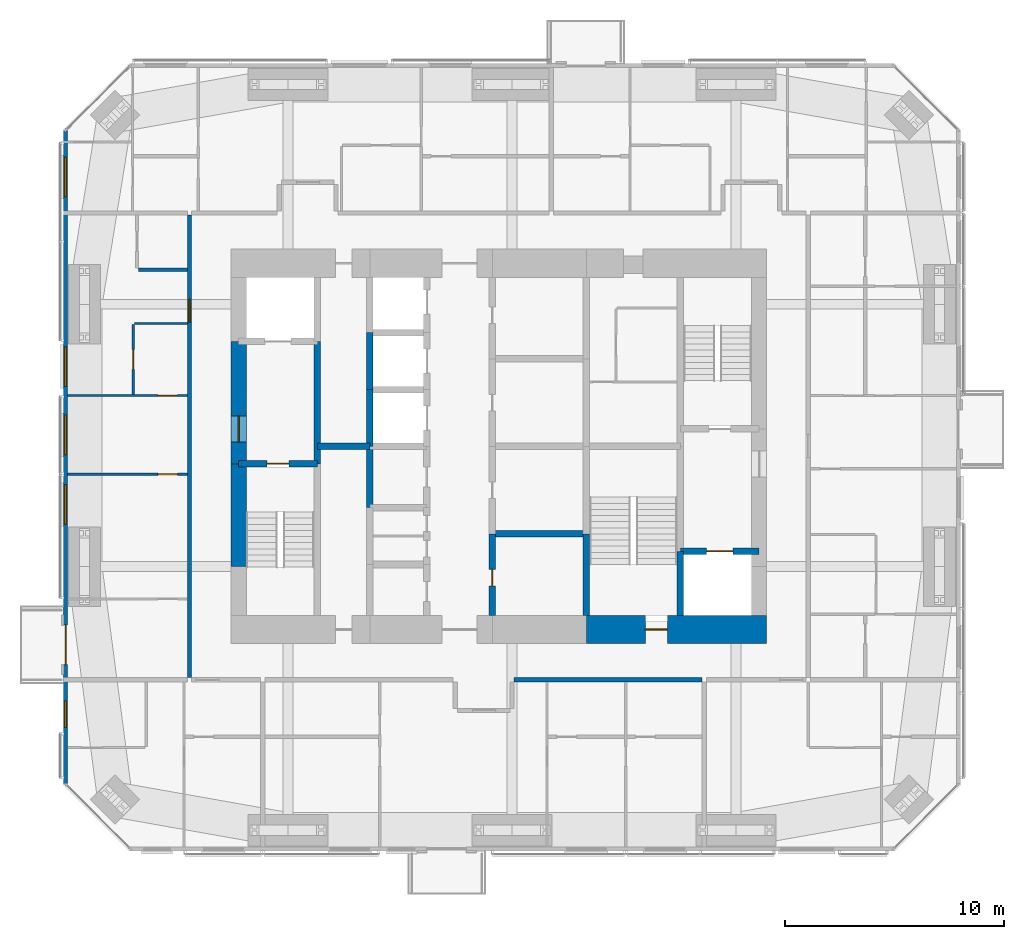
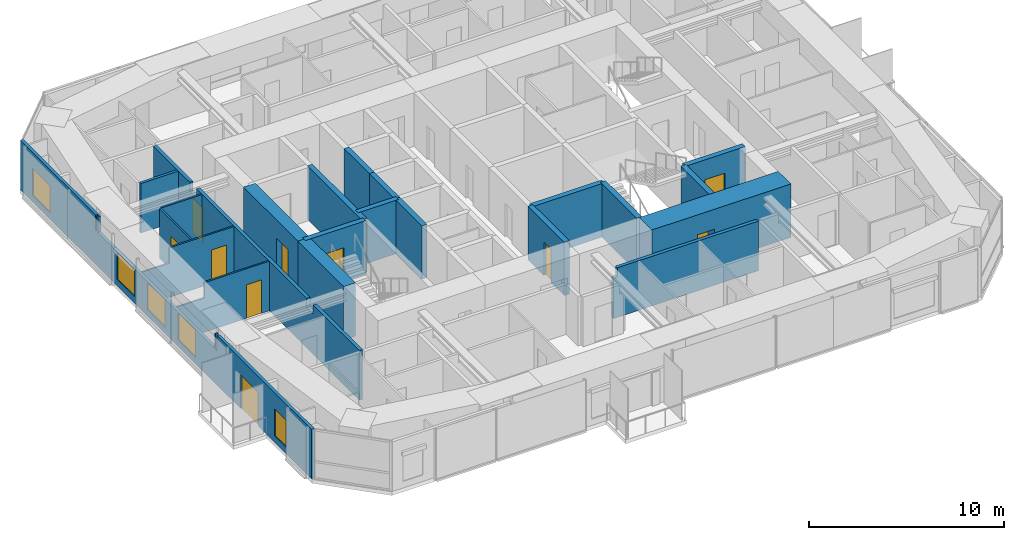
# One storey, part 17 of 23: 22 walls, 10 doors, 5 windows, 15 openings.
"""IFC4 building model written with IfcOpenShell, lengths in metres."""

from ifc_helpers import new_model, si_unit, direction, frame, frame_2d, origin, place, context, subcontext, project, spatial, polyline, rectangle, outline, extrude, material, layer, layer_set, constituent, constituent_set, type_object, element, fill, save


model = new_model("IFC4")

# Units and contexts
model_context = context("Model", 3, precision=1e-05, world=origin(), true_north=direction((0.0, 1.0)))
body_context = subcontext(model_context, "Body", "Model", "MODEL_VIEW")
ifc_project = project(units=[si_unit("LENGTHUNIT", "METRE"), si_unit("AREAUNIT", "SQUARE_METRE"), si_unit("VOLUMEUNIT", "CUBIC_METRE"), si_unit("PLANEANGLEUNIT", "RADIAN"), si_unit("MASSUNIT", "GRAM", prefix="KILO")], contexts=[model_context])

# Site, building, storey
site_placement = place(None, origin())
site = spatial("IfcSite", under=ifc_project, at=site_placement, CompositionType="ELEMENT")
building_placement = place(site_placement, origin())
building = spatial("IfcBuilding", under=site, at=building_placement, Name="Jalousie Tower", CompositionType="ELEMENT")
storey_placement = place(building_placement, frame((0.0, 0.0, 197.89990234375)))
storey = spatial("IfcBuildingStorey", under=building, at=storey_placement, Name="L54", CompositionType="ELEMENT", Elevation=197.89990234375)

# Wall
ifc_material_1 = material(Name="Concrete block ASTM C90", Category="concrete")
ifc_constituent_1 = constituent(ifc_material_1, Name="Body")
ifc_material_2 = material(Name="Render")
ifc_constituent_2 = constituent(ifc_material_2, Name="Finish")
ifc_constituent_set_1 = constituent_set(constituents=[ifc_constituent_1, ifc_constituent_2])
wall_type_1 = type_object("IfcWallType", Name="BATHROOM WALL 150", PredefinedType="PLUMBINGWALL", material=ifc_constituent_set_1)
wall_1_placement = place(storey_placement, frame((15.425048828125, 26.574951171875, 0.0), z_axis=(0.0, 0.0, 1.0), x_axis=(1.0, 0.0, 0.0)))
element("IfcWall", 1, at=wall_1_placement, inside=storey, type_object=wall_type_1, Name="Bathroom Wall 150 L54", PredefinedType="PLUMBINGWALL", context=body_context, shape_type="SweptSolid", body=[
    extrude(rectangle(XDim=2.224853515625, YDim=0.14990234375, at=frame_2d((1.1123046875, 0.0))), origin(), (0.0, 0.0, 1.0), 3.110107421875),
])

# Wall, opening, door
ifc_material_3 = material(Name="Concrete f'c 120 MPa", Category="concrete")
ifc_layer_1 = layer(ifc_material_3, 1.300048828125)
ifc_layer_set_1 = layer_set([ifc_layer_1], Name="Concrete f'c 120 MPa")
wall_type_2 = type_object("IfcWallType", Name="CORE WALL 1300", PredefinedType="SHEAR", material=ifc_layer_set_1)
wall_2_placement = place(storey_placement, frame((35.89990234375, 10.125, 0.0), z_axis=(0.0, 0.0, 1.0), x_axis=(1.0, 0.0, 0.0)))
wall_2 = element("IfcWall", 2, at=wall_2_placement, inside=storey, type_object=wall_type_2, Name="Core wall SD L54", PredefinedType="SHEAR", context=body_context, shape_type="SweptSolid", body=[
    extrude(rectangle(XDim=8.25, YDim=1.300048828125, at=frame_2d((4.125, 0.0))), origin(), (0.0, 0.0, 1.0), 3.35009765625),
])
opening_1_placement = place(wall_2_placement, frame((2.699951171875, 0.0, 0.0)))
opening_1 = element("IfcOpeningElement", 3, at=opening_1_placement, cuts=wall_2, Name="Opening D10", PredefinedType="OPENING", context=body_context, shape_type="SweptSolid", body=[
    extrude(rectangle(XDim=1.0, YDim=2.10009765625, at=frame_2d((0.5, 1.050048828125))), frame((0.0, 0.659912109375, 0.0), z_axis=(0.0, -1.0, 0.0), x_axis=(1.0, 0.0, 0.0)), (0.0, 0.0, 1.0), 1.320068359375),
])
ifc_material_4 = material(Name="Steel fire door", Category="steel")
door_type_1 = type_object("IfcDoorType", Name="STAIR DOOR 1000", OperationType="SINGLE_SWING_LEFT", PredefinedType="DOOR", material=ifc_material_4)
door_1_placement = place(opening_1_placement, origin())
door_1 = element("IfcDoor", 4, at=door_1_placement, inside=storey, type_object=door_type_1, Name="Exit stair C door", OperationType="SINGLE_SWING_RIGHT", OverallHeight=2.10009765625, OverallWidth=1.0, PredefinedType="DOOR", context=body_context, shape_type="SweptSolid", body=[
    extrude(rectangle(XDim=1.0, YDim=2.10009765625, at=frame_2d((0.5, 1.050048828125))), frame((0.0, 0.02490234375, 0.0), z_axis=(0.0, -1.0, 0.0), x_axis=(1.0, 0.0, 0.0)), (0.0, 0.0, 1.0), 0.050048828125),
])
fill(opening_1, door_1)

# Walls
ifc_material_5 = material(Name="Concrete f'c 120 MPa", Category="concrete")
ifc_layer_2 = layer(ifc_material_5, 0.300048828125)
ifc_layer_set_2 = layer_set([ifc_layer_2], Name="Concrete f'c 120 MPa")
wall_type_3 = type_object("IfcWallType", Name="CORE WALL 300", PredefinedType="SHEAR", material=ifc_layer_set_2)
wall_3_placement = place(storey_placement, frame((23.60009765625, 17.699951171875, 0.0), z_axis=(0.0, 0.0, 1.0), x_axis=(0.0, 1.0, 0.0)))
element("IfcWall", 5, at=wall_3_placement, inside=storey, type_object=wall_type_3, Name="Core wall X23.6B L54", PredefinedType="SHEAR", context=body_context, shape_type="SweptSolid", body=[
    extrude(rectangle(XDim=5.60009765625, YDim=0.300048828125, at=frame_2d((2.800048828125, 0.0))), origin(), (0.0, 0.0, 1.0), 3.35009765625),
])
wall_4_placement = place(storey_placement, frame((26.0, 15.699951171875, 0.0), z_axis=(0.0, 0.0, 1.0), x_axis=(0.0, 1.0, 0.0)))
element("IfcWall", 6, at=wall_4_placement, inside=storey, type_object=wall_type_3, Name="Core wall X26C L54", PredefinedType="SHEAR", context=body_context, shape_type="SweptSolid", body=[
    extrude(rectangle(XDim=2.800048828125, YDim=0.300048828125, at=frame_2d((1.39990234375, 0.0))), origin(), (0.0, 0.0, 1.0), 3.35009765625),
])
wall_5_placement = place(storey_placement, frame((26.0, 18.5, 0.0), z_axis=(0.0, 0.0, 1.0), x_axis=(0.0, 1.0, 0.0)))
element("IfcWall", 7, at=wall_5_placement, inside=storey, type_object=wall_type_3, Name="Core wall X26D L54", PredefinedType="SHEAR", context=body_context, shape_type="SweptSolid", body=[
    extrude(rectangle(XDim=2.60009765625, YDim=0.300048828125, at=frame_2d((1.300048828125, 0.0))), origin(), (0.0, 0.0, 1.0), 3.35009765625),
])
wall_6_placement = place(storey_placement, frame((26.0, 21.10009765625, 0.0), z_axis=(0.0, 0.0, 1.0), x_axis=(0.0, 1.0, 0.0)))
element("IfcWall", 8, at=wall_6_placement, inside=storey, type_object=wall_type_3, Name="Core wall X26E L54", PredefinedType="SHEAR", context=body_context, shape_type="SweptSolid", body=[
    extrude(rectangle(XDim=2.599853515625, YDim=0.300048828125, at=frame_2d((1.2998046875, 0.0))), origin(), (0.0, 0.0, 1.0), 3.35009765625),
])

# Wall, opening, door
wall_7_placement = place(storey_placement, frame((31.60009765625, 10.77490234375, 0.0), z_axis=(0.0, 0.0, 1.0), x_axis=(0.0, 1.0, 0.0)))
wall_7 = element("IfcWall", 9, at=wall_7_placement, inside=storey, type_object=wall_type_3, Name="Core wall X31.6A L54", PredefinedType="SHEAR", context=body_context, shape_type="SweptSolid", body=[
    extrude(rectangle(XDim=3.72509765625, YDim=0.300048828125, at=frame_2d((1.862548828125, 0.0))), origin(), (0.0, 0.0, 1.0), 3.35009765625),
])
opening_2_placement = place(wall_7_placement, frame((1.35009765625, 0.0, 0.0)))
opening_2 = element("IfcOpeningElement", 10, at=opening_2_placement, cuts=wall_7, Name="Opening D16", PredefinedType="OPENING", context=body_context, shape_type="SweptSolid", body=[
    extrude(rectangle(XDim=0.75, YDim=2.10009765625, at=frame_2d((0.375, 1.050048828125))), frame((0.0, 0.159912109375, 0.0), z_axis=(0.0, -1.0, 0.0), x_axis=(1.0, 0.0, 0.0)), (0.0, 0.0, 1.0), 0.320068359375),
])
ifc_material_6 = material(Name="Steel fire door", Category="steel")
door_type_2 = type_object("IfcDoorType", Name="RISER DOOR 750", OperationType="SINGLE_SWING_LEFT", PredefinedType="DOOR", material=ifc_material_6)
door_2_placement = place(opening_2_placement, frame((0.75, 0.0, 0.0), z_axis=(0.0, 0.0, 1.0), x_axis=(-1.0, 0.0, 0.0)))
door_2 = element("IfcDoor", 11, at=door_2_placement, inside=storey, type_object=door_type_2, Name="Refuse Room door", OperationType="SINGLE_SWING_RIGHT", OverallHeight=2.10009765625, OverallWidth=0.75, PredefinedType="DOOR", context=body_context, shape_type="SweptSolid", body=[
    extrude(rectangle(XDim=0.75, YDim=2.10009765625, at=frame_2d((0.375, 1.050048828125))), frame((0.0, 0.02490234375, 0.0), z_axis=(0.0, -1.0, 0.0), x_axis=(1.0, 0.0, 0.0)), (0.0, 0.0, 1.0), 0.050048828125),
])
fill(opening_2, door_2)

# Walls
wall_8_placement = place(storey_placement, frame((35.89990234375, 10.77490234375, 0.0), z_axis=(0.0, 0.0, 1.0), x_axis=(0.0, 1.0, 0.0)))
element("IfcWall", 12, at=wall_8_placement, inside=storey, type_object=wall_type_3, Name="Core wall X35.9A L54", PredefinedType="SHEAR", context=body_context, shape_type="SweptSolid", body=[
    extrude(rectangle(XDim=3.72509765625, YDim=0.300048828125, at=frame_2d((1.862548828125, 0.0))), origin(), (0.0, 0.0, 1.0), 3.35009765625),
])
wall_9_placement = place(storey_placement, frame((40.199951171875, 10.77490234375, 0.0), z_axis=(0.0, 0.0, 1.0), x_axis=(0.0, 1.0, 0.0)))
element("IfcWall", 13, at=wall_9_placement, inside=storey, type_object=wall_type_3, Name="Core wall X40.2A L54", PredefinedType="SHEAR", context=body_context, shape_type="SweptSolid", body=[
    extrude(rectangle(XDim=2.925048828125, YDim=0.300048828125, at=frame_2d((1.46240234375, 0.0))), origin(), (0.0, 0.0, 1.0), 3.35009765625),
])

# Wall, opening, door
wall_10_placement = place(storey_placement, frame((20.0, 17.699951171875, 0.0), z_axis=(0.0, 0.0, 1.0), x_axis=(1.0, 0.0, 0.0)))
wall_10 = element("IfcWall", 14, at=wall_10_placement, inside=storey, type_object=wall_type_3, Name="Core wall Y20-17.7 L54", PredefinedType="SHEAR", context=body_context, shape_type="SweptSolid", body=[
    extrude(rectangle(XDim=3.60009765625, YDim=0.300048828125, at=frame_2d((1.800048828125, 0.0))), origin(), (0.0, 0.0, 1.0), 3.35009765625),
])
opening_3_placement = place(wall_10_placement, frame((1.300048828125, 0.0, 0.0)))
opening_3 = element("IfcOpeningElement", 15, at=opening_3_placement, cuts=wall_10, Name="Opening D10", PredefinedType="OPENING", context=body_context, shape_type="SweptSolid", body=[
    extrude(rectangle(XDim=1.0, YDim=2.10009765625, at=frame_2d((0.5, 1.050048828125))), frame((0.0, 0.159912109375, 0.0), z_axis=(0.0, -1.0, 0.0), x_axis=(1.0, 0.0, 0.0)), (0.0, 0.0, 1.0), 0.320068359375),
])
door_3_placement = place(opening_3_placement, frame((1.0, 0.0, 0.0), z_axis=(0.0, 0.0, 1.0), x_axis=(-1.0, 0.0, 0.0)))
door_3 = element("IfcDoor", 16, at=door_3_placement, inside=storey, type_object=door_type_1, Name="Exit stair A door", OperationType="SINGLE_SWING_RIGHT", OverallHeight=2.10009765625, OverallWidth=1.0, PredefinedType="DOOR", context=body_context, shape_type="SweptSolid", body=[
    extrude(rectangle(XDim=1.0, YDim=2.10009765625, at=frame_2d((0.5, 1.050048828125))), frame((0.0, 0.02490234375, 0.0), z_axis=(0.0, -1.0, 0.0), x_axis=(1.0, 0.0, 0.0)), (0.0, 0.0, 1.0), 0.050048828125),
])
fill(opening_3, door_3)

# Walls
wall_11_placement = place(storey_placement, frame((23.60009765625, 18.5, 0.0), z_axis=(0.0, 0.0, 1.0), x_axis=(1.0, 0.0, 0.0)))
element("IfcWall", 17, at=wall_11_placement, inside=storey, type_object=wall_type_3, Name="Core wall Y23.6-18.5 L54", PredefinedType="SHEAR", context=body_context, shape_type="SweptSolid", body=[
    extrude(rectangle(XDim=2.39990234375, YDim=0.300048828125, at=frame_2d((1.199951171875, 0.0))), origin(), (0.0, 0.0, 1.0), 3.35009765625),
])
wall_12_placement = place(storey_placement, frame((31.60009765625, 14.5, 0.0), z_axis=(0.0, 0.0, 1.0), x_axis=(1.0, 0.0, 0.0)))
element("IfcWall", 18, at=wall_12_placement, inside=storey, type_object=wall_type_3, Name="Core wall Y31.6-14.5 L54", PredefinedType="SHEAR", context=body_context, shape_type="SweptSolid", body=[
    extrude(rectangle(XDim=4.2998046875, YDim=0.300048828125, at=frame_2d((2.14990234375, 0.0))), origin(), (0.0, 0.0, 1.0), 3.35009765625),
])

# Wall, opening, door
wall_13_placement = place(storey_placement, frame((40.199951171875, 13.699951171875, 0.0), z_axis=(0.0, 0.0, 1.0), x_axis=(1.0, 0.0, 0.0)))
wall_13 = element("IfcWall", 19, at=wall_13_placement, inside=storey, type_object=wall_type_3, Name="Core wall Y40.2-13.7 L54", PredefinedType="SHEAR", context=body_context, shape_type="SweptSolid", body=[
    extrude(rectangle(XDim=3.60009765625, YDim=0.300048828125, at=frame_2d((1.800048828125, 0.0))), origin(), (0.0, 0.0, 1.0), 3.35009765625),
])
opening_4_placement = place(wall_13_placement, frame((1.199951171875, 0.0, 0.0)))
opening_4 = element("IfcOpeningElement", 20, at=opening_4_placement, cuts=wall_13, Name="Opening LD2", PredefinedType="OPENING", context=body_context, shape_type="SweptSolid", body=[
    extrude(rectangle(XDim=1.199951171875, YDim=2.10009765625, at=frame_2d((0.60009765625, 1.050048828125))), frame((0.0, 0.159912109375, 0.0), z_axis=(0.0, -1.0, 0.0), x_axis=(1.0, 0.0, 0.0)), (0.0, 0.0, 1.0), 0.320068359375),
])
ifc_material_7 = material(Name="Steel lift landing door", Category="steel")
door_type_3 = type_object("IfcDoorType", Name="LIFT LANDING DOOR 1200", OperationType="SLIDING_TO_LEFT", PredefinedType="DOOR", material=ifc_material_7)
door_4_placement = place(opening_4_placement, origin())
door_4 = element("IfcDoor", 21, at=door_4_placement, inside=storey, type_object=door_type_3, Name="Lift F2 landing door", OperationType="SLIDING_TO_LEFT", OverallHeight=2.10009765625, OverallWidth=1.199951171875, PredefinedType="DOOR", context=body_context, shape_type="SweptSolid", body=[
    extrude(rectangle(XDim=1.199951171875, YDim=2.10009765625, at=frame_2d((0.60009765625, 1.050048828125))), frame((0.0, 0.02490234375, 0.0), z_axis=(0.0, -1.0, 0.0), x_axis=(1.0, 0.0, 0.0)), (0.0, 0.0, 1.0), 0.050048828125),
])
fill(opening_4, door_4)

ifc_material_8 = material(Name="Concrete f'c 120 MPa", Category="concrete")
ifc_layer_3 = layer(ifc_material_8, 0.699951171875)
ifc_layer_set_3 = layer_set([ifc_layer_3], Name="Concrete f'c 120 MPa")
wall_type_4 = type_object("IfcWallType", Name="CORE WALL 700", PredefinedType="SHEAR", material=ifc_layer_set_3)
wall_14_placement = place(storey_placement, frame((20.0, 23.300048828125, 0.0), z_axis=(0.0, 0.0, 1.0), x_axis=(0.0, -1.0, 0.0)))
wall_14 = element("IfcWall", 22, at=wall_14_placement, inside=storey, type_object=wall_type_4, Name="Core wall WB L54", PredefinedType="SHEAR", context=body_context, shape_type="SweptSolid", body=[
    extrude(rectangle(XDim=5.60009765625, YDim=0.699951171875, at=frame_2d((2.800048828125, 0.0))), origin(), (0.0, 0.0, 1.0), 3.35009765625),
])
opening_5_placement = place(wall_14_placement, frame((3.39990234375, 0.0, 0.0)))
opening_5 = element("IfcOpeningElement", 23, at=opening_5_placement, cuts=wall_14, Name="Opening D11", PredefinedType="OPENING", context=body_context, shape_type="SweptSolid", body=[
    extrude(rectangle(XDim=1.199951171875, YDim=2.199951171875, at=frame_2d((0.60009765625, 1.10009765625))), frame((0.0, 0.35986328125, 0.0), z_axis=(0.0, -1.0, 0.0), x_axis=(1.0, 0.0, 0.0)), (0.0, 0.0, 1.0), 0.719970703125),
])
ifc_material_9 = material(Name="Steel fire door", Category="steel")
door_type_4 = type_object("IfcDoorType", Name="FIRE DOOR 1200", OperationType="SINGLE_SWING_LEFT", PredefinedType="DOOR", material=ifc_material_9)
door_5_placement = place(opening_5_placement, origin())
door_5 = element("IfcDoor", 24, at=door_5_placement, inside=storey, type_object=door_type_4, Name="Fire-fighting lobby A door", OperationType="SINGLE_SWING_RIGHT", OverallHeight=2.199951171875, OverallWidth=1.199951171875, PredefinedType="DOOR", context=body_context, shape_type="SweptSolid", body=[
    extrude(rectangle(XDim=1.199951171875, YDim=2.199951171875, at=frame_2d((0.60009765625, 1.10009765625))), frame((0.0, 0.02490234375, 0.0), z_axis=(0.0, -1.0, 0.0), x_axis=(1.0, 0.0, 0.0)), (0.0, 0.0, 1.0), 0.050048828125),
])
fill(opening_5, door_5)

# Wall
wall_15_placement = place(storey_placement, frame((20.0, 17.699951171875, 0.0), z_axis=(0.0, 0.0, 1.0), x_axis=(0.0, -1.0, 0.0)))
element("IfcWall", 25, at=wall_15_placement, inside=storey, type_object=wall_type_4, Name="Core wall WC L54", PredefinedType="SHEAR", context=body_context, shape_type="SweptSolid", body=[
    extrude(rectangle(XDim=4.699951171875, YDim=0.699951171875, at=frame_2d((2.35009765625, 0.0))), origin(), (0.0, 0.0, 1.0), 3.35009765625),
])

# Wall, opening, door
ifc_material_10 = material(Name="Concrete block ASTM C90", Category="concrete")
ifc_constituent_3 = constituent(ifc_material_10, Name="Body")
ifc_material_11 = material(Name="Render")
ifc_constituent_4 = constituent(ifc_material_11, Name="Finish")
ifc_constituent_set_2 = constituent_set(constituents=[ifc_constituent_3, ifc_constituent_4])
wall_type_5 = type_object("IfcWallType", Name="CORRIDOR WALL 200", PredefinedType="PARTITIONING", material=ifc_constituent_set_2)
wall_16_placement = place(storey_placement, frame((17.75, 7.925048828125, 0.0), z_axis=(0.0, 0.0, 1.0), x_axis=(0.0, 1.0, 0.0)))
wall_16 = element("IfcWall", 26, at=wall_16_placement, inside=storey, type_object=wall_type_5, Name="Corridor Wall 200 L54", PredefinedType="PARTITIONING", context=body_context, shape_type="SweptSolid", body=[
    extrude(outline(polyline([(0.0, 0.0), (21.14990234375, 0.0), (21.14990234375, 3.110107421875), (17.412353515625, 3.110107421875), (17.412353515625, 2.541015625), (16.737548828125, 2.541015625), (16.737548828125, 3.110107421875), (5.412353515625, 3.110107421875), (5.412353515625, 2.541015625), (4.73779296875, 2.541015625), (4.73779296875, 3.110107421875), (0.0, 3.110107421875), (0.0, 0.0)])), frame((0.0, 0.10009765625, 0.0), z_axis=(0.0, -1.0, 0.0), x_axis=(1.0, 0.0, 0.0)), (0.0, 0.0, 1.0), 0.199951171875),
])
opening_6_placement = place(wall_16_placement, frame((16.25, 0.0, 0.0)))
opening_6 = element("IfcOpeningElement", 27, at=opening_6_placement, cuts=wall_16, Name="Opening D1", PredefinedType="OPENING", context=body_context, shape_type="SweptSolid", body=[
    extrude(rectangle(XDim=1.050048828125, YDim=2.199951171875, at=frame_2d((0.52490234375, 1.10009765625))), frame((0.0, 0.10986328125, 0.0), z_axis=(0.0, -1.0, 0.0), x_axis=(1.0, 0.0, 0.0)), (0.0, 0.0, 1.0), 0.219970703125),
])
ifc_material_12 = material(Name="Timber fire door", Category="wood")
door_type_5 = type_object("IfcDoorType", Name="APARTMENT ENTRANCE DOOR 1050", OperationType="SINGLE_SWING_LEFT", PredefinedType="DOOR", material=ifc_material_12)
door_6_placement = place(opening_6_placement, origin())
door_6 = element("IfcDoor", 28, at=door_6_placement, inside=storey, type_object=door_type_5, Name="Apartment 5406 entrance", OperationType="SINGLE_SWING_LEFT", OverallHeight=2.199951171875, OverallWidth=1.050048828125, PredefinedType="DOOR", context=body_context, shape_type="SweptSolid", body=[
    extrude(rectangle(XDim=1.050048828125, YDim=2.199951171875, at=frame_2d((0.52490234375, 1.10009765625))), frame((0.0, 0.02490234375, 0.0), z_axis=(0.0, -1.0, 0.0), x_axis=(1.0, 0.0, 0.0)), (0.0, 0.0, 1.0), 0.050048828125),
])
fill(opening_6, door_6)

# Wall
wall_17_placement = place(storey_placement, frame((32.60009765625, 7.824951171875, 0.0), z_axis=(0.0, 0.0, 1.0), x_axis=(1.0, 0.0, 0.0)))
element("IfcWall", 29, at=wall_17_placement, inside=storey, type_object=wall_type_5, Name="Corridor Wall 200 L54", PredefinedType="PARTITIONING", context=body_context, shape_type="SweptSolid", body=[
    extrude(outline(polyline([(0.0, 0.0), (8.599853515625, 0.0), (8.60009765625, 3.110107421875), (0.2373046875, 3.110107421875), (0.2373046875, 2.541015625), (0.0, 2.541015625), (0.0, 3.110107421875), (0.0, 0.0)])), frame((0.0, 0.10009765625, 0.0), z_axis=(0.0, -1.0, 0.0), x_axis=(1.0, 0.0, 0.0)), (0.0, 0.0, 1.0), 0.199951171875),
])

# Wall, openings, door, windows
ifc_material_13 = material(Name="Concrete f'c 40 MPa", Category="concrete")
ifc_constituent_5 = constituent(ifc_material_13, Name="Body")
ifc_material_14 = material(Name="Render, pastel lemon")
ifc_constituent_6 = constituent(ifc_material_14, Name="Finish")
ifc_constituent_set_3 = constituent_set(constituents=[ifc_constituent_5, ifc_constituent_6])
wall_type_6 = type_object("IfcWallType", Name="EXTERNAL WALL 175 LEMON RENDER", PredefinedType="SOLIDWALL", material=ifc_constituent_set_3)
wall_18_placement = place(storey_placement, frame((12.08740234375, 32.94873046875, 0.0), z_axis=(0.0, 0.0, 1.0), x_axis=(0.0, -1.0, 0.0)))
wall_18 = element("IfcWall", 30, at=wall_18_placement, inside=storey, type_object=wall_type_6, Name="External Wall 175 Lemon Render L54", PredefinedType="SOLIDWALL", context=body_context, shape_type="SweptSolid", body=[
    extrude(outline(polyline([(0.0, 0.0), (29.8974609375, 0.0), (29.8974609375, 3.110107421875), (20.19140625, 3.110107421875), (20.19140625, 2.150146484375), (20.050537109375, 2.150146484375), (20.050537109375, 3.110107421875), (19.94873046875, 3.110107421875), (19.94873046875, 2.150146484375), (7.94873046875, 2.150146484375), (7.94873046875, 3.110107421875), (7.823486328125, 3.110107421875), (7.823486328125, 2.150146484375), (7.729736328125, 2.150146484375), (7.729736328125, 3.110107421875), (0.0, 3.110107421875), (0.0, 0.0)])), frame((0.0, 0.08740234375, 0.0), z_axis=(0.0, -1.0, 0.0), x_axis=(1.0, 0.0, 0.0)), (0.0, 0.0, 1.0), 0.175048828125),
])
opening_7_placement = place(wall_18_placement, frame((1.226318359375, 0.0, 0.39990234375)))
opening_7 = element("IfcOpeningElement", 31, at=opening_7_placement, cuts=wall_18, Name="Opening W-BED170", PredefinedType="OPENING", context=body_context, shape_type="SweptSolid", body=[
    extrude(rectangle(XDim=1.800048828125, YDim=1.699951171875, at=frame_2d((0.89990234375, 0.85009765625))), frame((0.0, 0.097412109375, 0.0), z_axis=(0.0, -1.0, 0.0), x_axis=(1.0, 0.0, 0.0)), (0.0, 0.0, 1.0), 0.195068359375),
])
opening_8_placement = place(wall_18_placement, frame((9.898681640625, 0.0, 0.39990234375)))
opening_8 = element("IfcOpeningElement", 32, at=opening_8_placement, cuts=wall_18, Name="Opening W-BED170", PredefinedType="OPENING", context=body_context, shape_type="SweptSolid", body=[
    extrude(rectangle(XDim=1.800048828125, YDim=1.699951171875, at=frame_2d((0.89990234375, 0.85009765625))), frame((0.0, 0.097412109375, 0.0), z_axis=(0.0, -1.0, 0.0), x_axis=(1.0, 0.0, 0.0)), (0.0, 0.0, 1.0), 0.195068359375),
])
opening_9_placement = place(wall_18_placement, frame((13.023681640625, 0.0, 0.39990234375)))
opening_9 = element("IfcOpeningElement", 33, at=opening_9_placement, cuts=wall_18, Name="Opening W-BED170", PredefinedType="OPENING", context=body_context, shape_type="SweptSolid", body=[
    extrude(rectangle(XDim=1.800048828125, YDim=1.699951171875, at=frame_2d((0.89990234375, 0.85009765625))), frame((0.0, 0.097412109375, 0.0), z_axis=(0.0, -1.0, 0.0), x_axis=(1.0, 0.0, 0.0)), (0.0, 0.0, 1.0), 0.195068359375),
])
opening_10_placement = place(wall_18_placement, frame((16.201171875, 0.0, 0.39990234375)))
opening_10 = element("IfcOpeningElement", 34, at=opening_10_placement, cuts=wall_18, Name="Opening W-BED170", PredefinedType="OPENING", context=body_context, shape_type="SweptSolid", body=[
    extrude(rectangle(XDim=1.800048828125, YDim=1.699951171875, at=frame_2d((0.89990234375, 0.85009765625))), frame((0.0, 0.097412109375, 0.0), z_axis=(0.0, -1.0, 0.0), x_axis=(1.0, 0.0, 0.0)), (0.0, 0.0, 1.0), 0.195068359375),
])
opening_11_placement = place(wall_18_placement, frame((22.623779296875, 0.0, 0.0)))
opening_11 = element("IfcOpeningElement", 35, at=opening_11_placement, cuts=wall_18, Name="Opening D-BAL21", PredefinedType="OPENING", context=body_context, shape_type="SweptSolid", body=[
    extrude(rectangle(XDim=1.800048828125, YDim=2.10009765625, at=frame_2d((0.89990234375, 1.050048828125))), frame((0.0, 0.097412109375, 0.0), z_axis=(0.0, -1.0, 0.0), x_axis=(1.0, 0.0, 0.0)), (0.0, 0.0, 1.0), 0.195068359375),
])
opening_12_placement = place(wall_18_placement, frame((26.0986328125, 0.0, 0.39990234375)))
opening_12 = element("IfcOpeningElement", 36, at=opening_12_placement, cuts=wall_18, Name="Opening W-COR170", PredefinedType="OPENING", context=body_context, shape_type="SweptSolid", body=[
    extrude(rectangle(XDim=1.199951171875, YDim=1.699951171875, at=frame_2d((0.60009765625, 0.85009765625))), frame((0.0, 0.097412109375, 0.0), z_axis=(0.0, -1.0, 0.0), x_axis=(1.0, 0.0, 0.0)), (0.0, 0.0, 1.0), 0.195068359375),
])
ifc_material_15 = material(Name="Aluminium frame, impact-rated glazing", Category="aluminium")
door_type_6 = type_object("IfcDoorType", Name="BALCONY DOOR 1800x2100", OperationType="SLIDING_TO_LEFT", PredefinedType="DOOR", material=ifc_material_15)
door_7_placement = place(opening_11_placement, origin())
door_7 = element("IfcDoor", 37, at=door_7_placement, inside=storey, type_object=door_type_6, Name="Apartment 5406 bedroom 1 balcony door", OperationType="SLIDING_TO_LEFT", OverallHeight=2.10009765625, OverallWidth=1.800048828125, PredefinedType="DOOR", context=body_context, shape_type="SweptSolid", body=[
    extrude(rectangle(XDim=1.800048828125, YDim=2.10009765625, at=frame_2d((0.89990234375, 1.050048828125))), frame((0.0, 0.02490234375, 0.0), z_axis=(0.0, -1.0, 0.0), x_axis=(1.0, 0.0, 0.0)), (0.0, 0.0, 1.0), 0.050048828125),
])
fill(opening_11, door_7)
ifc_material_16 = material(Name="Aluminium frame, impact-rated glazing", Category="aluminium")
window_type_1 = type_object("IfcWindowType", Name="WINDOW BED 1800x1700", PartitioningType="SINGLE_PANEL", PredefinedType="WINDOW", material=ifc_material_16)
window_1_placement = place(opening_7_placement, origin())
window_1 = element("IfcWindow", 38, at=window_1_placement, inside=storey, type_object=window_type_1, Name="Apartment 5404 bedroom 1 window", OverallHeight=1.699951171875, OverallWidth=1.800048828125, PartitioningType="SINGLE_PANEL", PredefinedType="WINDOW", context=body_context, shape_type="SweptSolid", body=[
    extrude(rectangle(XDim=1.800048828125, YDim=1.699951171875, at=frame_2d((0.89990234375, 0.85009765625))), frame((0.0, 0.030029296875, 0.0), z_axis=(0.0, -1.0, 0.0), x_axis=(1.0, 0.0, 0.0)), (0.0, 0.0, 1.0), 0.06005859375),
])
fill(opening_7, window_1)
window_2_placement = place(opening_8_placement, origin())
window_2 = element("IfcWindow", 39, at=window_2_placement, inside=storey, type_object=window_type_1, Name="Apartment 5406 living and dining room window", OverallHeight=1.699951171875, OverallWidth=1.800048828125, PartitioningType="SINGLE_PANEL", PredefinedType="WINDOW", context=body_context, shape_type="SweptSolid", body=[
    extrude(rectangle(XDim=1.800048828125, YDim=1.699951171875, at=frame_2d((0.89990234375, 0.85009765625))), frame((0.0, 0.030029296875, 0.0), z_axis=(0.0, -1.0, 0.0), x_axis=(1.0, 0.0, 0.0)), (0.0, 0.0, 1.0), 0.06005859375),
])
fill(opening_8, window_2)
window_3_placement = place(opening_9_placement, origin())
window_3 = element("IfcWindow", 40, at=window_3_placement, inside=storey, type_object=window_type_1, Name="Apartment 5406 bedroom 3 window", OverallHeight=1.699951171875, OverallWidth=1.800048828125, PartitioningType="SINGLE_PANEL", PredefinedType="WINDOW", context=body_context, shape_type="SweptSolid", body=[
    extrude(rectangle(XDim=1.800048828125, YDim=1.699951171875, at=frame_2d((0.89990234375, 0.85009765625))), frame((0.0, 0.030029296875, 0.0), z_axis=(0.0, -1.0, 0.0), x_axis=(1.0, 0.0, 0.0)), (0.0, 0.0, 1.0), 0.06005859375),
])
fill(opening_9, window_3)
window_4_placement = place(opening_10_placement, origin())
window_4 = element("IfcWindow", 41, at=window_4_placement, inside=storey, type_object=window_type_1, Name="Apartment 5406 bedroom 2 window", OverallHeight=1.699951171875, OverallWidth=1.800048828125, PartitioningType="SINGLE_PANEL", PredefinedType="WINDOW", context=body_context, shape_type="SweptSolid", body=[
    extrude(rectangle(XDim=1.800048828125, YDim=1.699951171875, at=frame_2d((0.89990234375, 0.85009765625))), frame((0.0, 0.030029296875, 0.0), z_axis=(0.0, -1.0, 0.0), x_axis=(1.0, 0.0, 0.0)), (0.0, 0.0, 1.0), 0.06005859375),
])
fill(opening_10, window_4)
ifc_material_17 = material(Name="Aluminium frame, impact-rated glazing", Category="aluminium")
window_type_2 = type_object("IfcWindowType", Name="WINDOW COR 1200x1700", PartitioningType="SINGLE_PANEL", PredefinedType="WINDOW", material=ifc_material_17)
window_5_placement = place(opening_12_placement, origin())
window_5 = element("IfcWindow", 42, at=window_5_placement, inside=storey, type_object=window_type_2, Name="Apartment 5401 kitchen window", OverallHeight=1.699951171875, OverallWidth=1.199951171875, PartitioningType="SINGLE_PANEL", PredefinedType="WINDOW", context=body_context, shape_type="SweptSolid", body=[
    extrude(rectangle(XDim=1.199951171875, YDim=1.699951171875, at=frame_2d((0.60009765625, 0.85009765625))), frame((0.0, 0.030029296875, 0.0), z_axis=(0.0, -1.0, 0.0), x_axis=(1.0, 0.0, 0.0)), (0.0, 0.0, 1.0), 0.06005859375),
])
fill(opening_12, window_5)

# Wall, opening, door
ifc_material_18 = material(Name="Gypsum board", Category="gypsum")
ifc_constituent_7 = constituent(ifc_material_18, Name="Body")
ifc_material_19 = material(Name="Light-gauge steel studs ASTM A653 SS Grade 33", Category="steel")
ifc_constituent_8 = constituent(ifc_material_19, Name="Framing")
ifc_constituent_set_4 = constituent_set(constituents=[ifc_constituent_7, ifc_constituent_8])
wall_type_7 = type_object("IfcWallType", Name="PARTITION 100", PredefinedType="PARTITIONING", material=ifc_constituent_set_4)
wall_19_placement = place(storey_placement, frame((12.175048828125, 17.22509765625, 0.0), z_axis=(0.0, 0.0, 1.0), x_axis=(1.0, 0.0, 0.0)))
wall_19 = element("IfcWall", 43, at=wall_19_placement, inside=storey, type_object=wall_type_7, Name="Partition 100 L54", PredefinedType="PARTITIONING", context=body_context, shape_type="SweptSolid", body=[
    extrude(outline(polyline([(0.0, 0.0), (5.474853515625, 0.0), (5.47509765625, 3.110107421875), (1.635009765625, 3.110107421875), (1.635009765625, 2.150146484375), (0.0, 2.150146484375), (0.0, 3.110107421875), (0.0, 0.0)])), frame((0.0, 0.050048828125, 0.0), z_axis=(0.0, -1.0, 0.0), x_axis=(1.0, 0.0, 0.0)), (0.0, 0.0, 1.0), 0.10009765625),
])
opening_13_placement = place(wall_19_placement, frame((4.125, 0.0, 0.0)))
opening_13 = element("IfcOpeningElement", 44, at=opening_13_placement, cuts=wall_19, Name="Opening D2", PredefinedType="OPENING", context=body_context, shape_type="SweptSolid", body=[
    extrude(rectangle(XDim=0.89990234375, YDim=2.10009765625, at=frame_2d((0.449951171875, 1.050048828125))), frame((0.0, 0.06005859375, 0.0), z_axis=(0.0, -1.0, 0.0), x_axis=(1.0, 0.0, 0.0)), (0.0, 0.0, 1.0), 0.1201171875),
])
ifc_material_20 = material(Name="Timber door", Category="wood")
door_type_7 = type_object("IfcDoorType", Name="BEDROOM DOOR 900", OperationType="SINGLE_SWING_LEFT", PredefinedType="DOOR", material=ifc_material_20)
door_8_placement = place(opening_13_placement, frame((0.89990234375, 0.0, 0.0), z_axis=(0.0, 0.0, 1.0), x_axis=(-1.0, 0.0, 0.0)))
door_8 = element("IfcDoor", 45, at=door_8_placement, inside=storey, type_object=door_type_7, Name="Apartment 5406 bedroom 2 door", OperationType="SINGLE_SWING_LEFT", OverallHeight=2.10009765625, OverallWidth=0.89990234375, PredefinedType="DOOR", context=body_context, shape_type="SweptSolid", body=[
    extrude(rectangle(XDim=0.89990234375, YDim=2.10009765625, at=frame_2d((0.449951171875, 1.050048828125))), frame((0.0, 0.02490234375, 0.0), z_axis=(0.0, -1.0, 0.0), x_axis=(1.0, 0.0, 0.0)), (0.0, 0.0, 1.0), 0.050048828125),
])
fill(opening_13, door_8)

wall_20_placement = place(storey_placement, frame((12.175048828125, 20.824951171875, 0.0), z_axis=(0.0, 0.0, 1.0), x_axis=(1.0, 0.0, 0.0)))
wall_20 = element("IfcWall", 46, at=wall_20_placement, inside=storey, type_object=wall_type_7, Name="Partition 100 L54", PredefinedType="PARTITIONING", context=body_context, shape_type="SweptSolid", body=[
    extrude(outline(polyline([(0.0, 0.0), (5.474853515625, 0.0), (5.47509765625, 3.110107421875), (1.635009765625, 3.110107421875), (1.635009765625, 2.150146484375), (0.0, 2.150146484375), (0.0, 3.110107421875), (0.0, 0.0)])), frame((0.0, 0.050048828125, 0.0), z_axis=(0.0, -1.0, 0.0), x_axis=(1.0, 0.0, 0.0)), (0.0, 0.0, 1.0), 0.10009765625),
])
opening_14_placement = place(wall_20_placement, frame((4.125, 0.0, 0.0)))
opening_14 = element("IfcOpeningElement", 47, at=opening_14_placement, cuts=wall_20, Name="Opening D2", PredefinedType="OPENING", context=body_context, shape_type="SweptSolid", body=[
    extrude(rectangle(XDim=0.89990234375, YDim=2.10009765625, at=frame_2d((0.449951171875, 1.050048828125))), frame((0.0, 0.06005859375, 0.0), z_axis=(0.0, -1.0, 0.0), x_axis=(1.0, 0.0, 0.0)), (0.0, 0.0, 1.0), 0.1201171875),
])
door_9_placement = place(opening_14_placement, frame((0.89990234375, 0.0, 0.0), z_axis=(0.0, 0.0, 1.0), x_axis=(-1.0, 0.0, 0.0)))
door_9 = element("IfcDoor", 48, at=door_9_placement, inside=storey, type_object=door_type_7, Name="Apartment 5406 bedroom 3 door", OperationType="SINGLE_SWING_LEFT", OverallHeight=2.10009765625, OverallWidth=0.89990234375, PredefinedType="DOOR", context=body_context, shape_type="SweptSolid", body=[
    extrude(rectangle(XDim=0.89990234375, YDim=2.10009765625, at=frame_2d((0.449951171875, 1.050048828125))), frame((0.0, 0.02490234375, 0.0), z_axis=(0.0, -1.0, 0.0), x_axis=(1.0, 0.0, 0.0)), (0.0, 0.0, 1.0), 0.050048828125),
])
fill(opening_14, door_9)

wall_21_placement = place(storey_placement, frame((15.175048828125, 20.875, 0.0), z_axis=(0.0, 0.0, 1.0), x_axis=(0.0, 1.0, 0.0)))
wall_21 = element("IfcWall", 49, at=wall_21_placement, inside=storey, type_object=wall_type_7, Name="Partition 100 L54", PredefinedType="PARTITIONING", context=body_context, shape_type="SweptSolid", body=[
    extrude(rectangle(XDim=3.199951171875, YDim=0.10009765625, at=frame_2d((1.60009765625, 0.0))), origin(), (0.0, 0.0, 1.0), 3.110107421875),
])
opening_15_placement = place(wall_21_placement, frame((1.14990234375, 0.0, 0.0)))
opening_15 = element("IfcOpeningElement", 50, at=opening_15_placement, cuts=wall_21, Name="Opening D7", PredefinedType="OPENING", context=body_context, shape_type="SweptSolid", body=[
    extrude(rectangle(XDim=0.89990234375, YDim=2.10009765625, at=frame_2d((0.449951171875, 1.050048828125))), frame((0.0, 0.06005859375, 0.0), z_axis=(0.0, -1.0, 0.0), x_axis=(1.0, 0.0, 0.0)), (0.0, 0.0, 1.0), 0.1201171875),
])
ifc_material_21 = material(Name="Timber door", Category="wood")
door_type_8 = type_object("IfcDoorType", Name="INTERNAL DOOR 900", OperationType="SINGLE_SWING_LEFT", PredefinedType="DOOR", material=ifc_material_21)
door_10_placement = place(opening_15_placement, origin())
door_10 = element("IfcDoor", 51, at=door_10_placement, inside=storey, type_object=door_type_8, Name="Apartment 5406 kitchen door", OperationType="SINGLE_SWING_LEFT", OverallHeight=2.10009765625, OverallWidth=0.89990234375, PredefinedType="DOOR", context=body_context, shape_type="SweptSolid", body=[
    extrude(rectangle(XDim=0.89990234375, YDim=2.10009765625, at=frame_2d((0.449951171875, 1.050048828125))), frame((0.0, 0.02490234375, 0.0), z_axis=(0.0, -1.0, 0.0), x_axis=(1.0, 0.0, 0.0)), (0.0, 0.0, 1.0), 0.050048828125),
])
fill(opening_15, door_10)

# Wall
wall_22_placement = place(storey_placement, frame((15.22509765625, 24.125, 0.0), z_axis=(0.0, 0.0, 1.0), x_axis=(1.0, 0.0, 0.0)))
element("IfcWall", 52, at=wall_22_placement, inside=storey, type_object=wall_type_7, Name="Partition 100 L54", PredefinedType="PARTITIONING", context=body_context, shape_type="SweptSolid", body=[
    extrude(rectangle(XDim=2.4248046875, YDim=0.10009765625, at=frame_2d((1.21240234375, 0.0))), origin(), (0.0, 0.0, 1.0), 3.110107421875),
])

save(model, "model.ifc")
